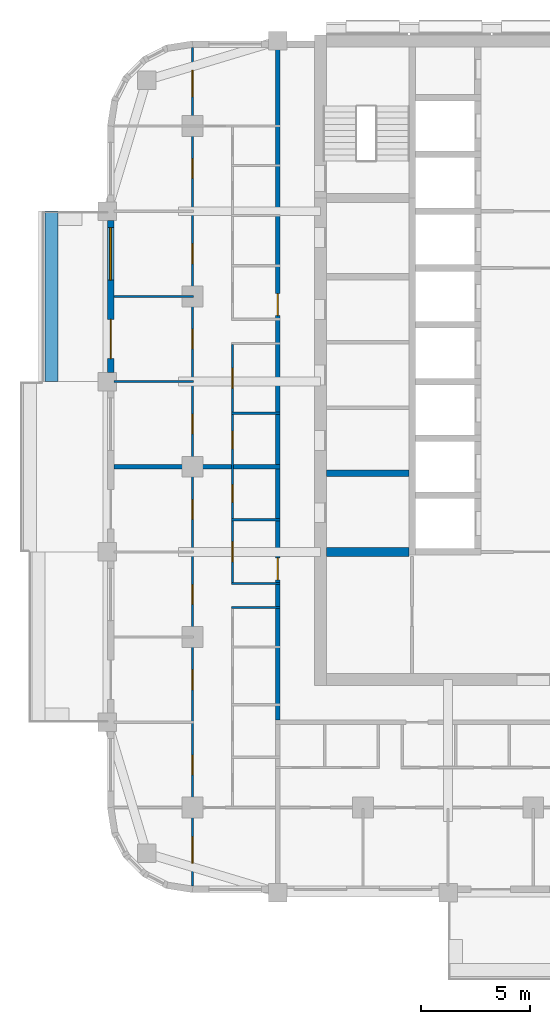
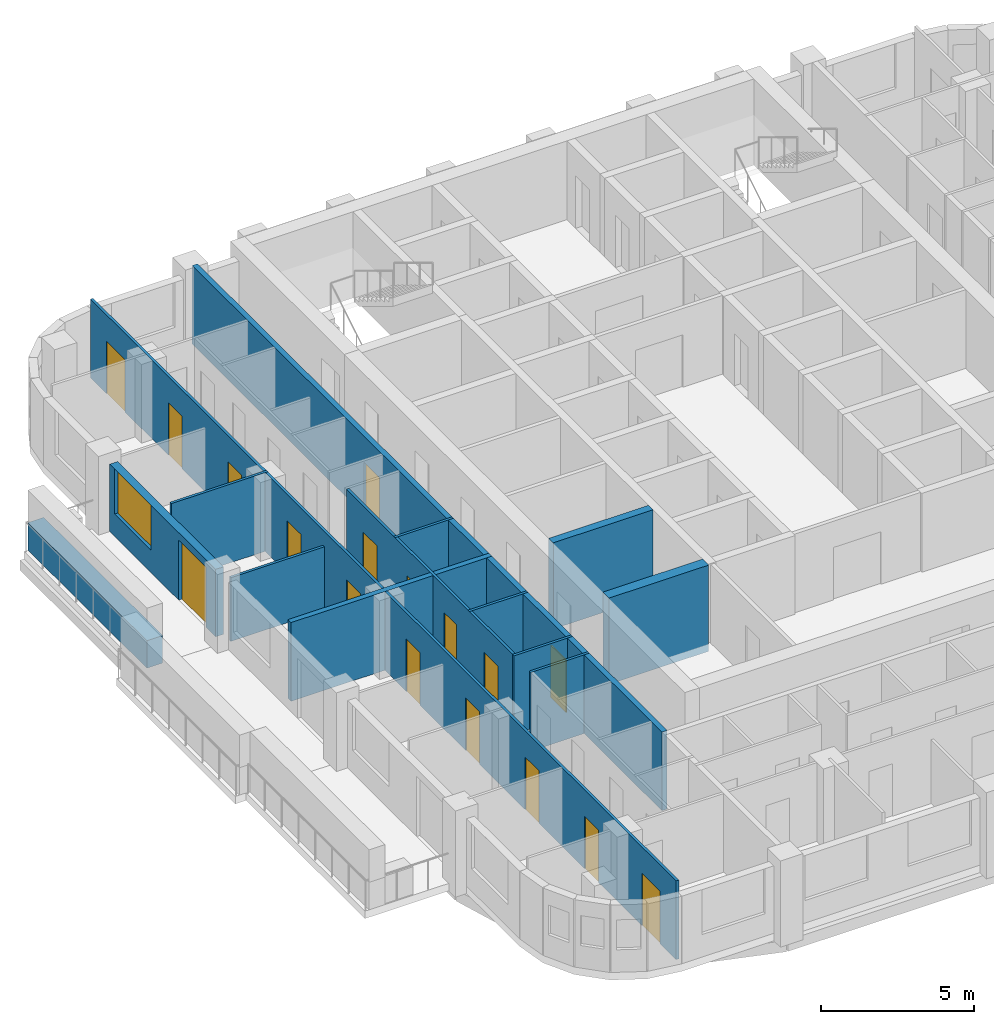
# One storey, part 4 of 14: 17 doors, 14 walls, 1 window, 18 openings.
"""IFC4 building model written with IfcOpenShell, lengths in metres."""

from ifc_helpers import new_model, si_unit, direction, frame, frame_2d, origin, place, context, subcontext, project, spatial, rectangle, extrude, material, layer, layer_set, type_object, element, fill, save


model = new_model("IFC4")

# Units and contexts
model_context = context("Model", 3, precision=1e-05, world=origin(), true_north=direction((0.0, 1.0)))
body_context = subcontext(model_context, "Body", "Model", "MODEL_VIEW")
ifc_project = project(units=[si_unit("LENGTHUNIT", "METRE"), si_unit("AREAUNIT", "SQUARE_METRE"), si_unit("VOLUMEUNIT", "CUBIC_METRE"), si_unit("PLANEANGLEUNIT", "RADIAN"), si_unit("MASSUNIT", "GRAM", prefix="KILO")], contexts=[model_context])

# Site, building, storey
site_placement = place(None, origin())
site = spatial("IfcSite", under=ifc_project, at=site_placement, CompositionType="ELEMENT")
building_placement = place(site_placement, origin())
building = spatial("IfcBuilding", under=site, at=building_placement, Name="Ludao Terraces", CompositionType="ELEMENT")
storey_placement = place(building_placement, frame((0.0, 0.0, 99.89990234375)))
storey = spatial("IfcBuildingStorey", under=building, at=storey_placement, Name="L27", CompositionType="ELEMENT", Elevation=99.89990234375)

# Wall
ifc_material_1 = material(Name="Concrete C40", Category="concrete")
ifc_layer_1 = layer(ifc_material_1, 0.60009765625)
ifc_layer_set_1 = layer_set([ifc_layer_1], Name="ENV Planter trough 600")
wall_type_1 = type_object("IfcWallType", Name="ENV Planter trough 600", PredefinedType="USERDEFINED", material=ifc_layer_set_1)
wall_1_placement = place(storey_placement, frame((62.949951171875, 68.89990234375, 0.0), z_axis=(0.0, 0.0, 1.0), x_axis=(0.0, 1.0, 0.0)))
element("IfcWall", 1, at=wall_1_placement, inside=storey, type_object=wall_type_1, Name="PL-L27-W3", ObjectType="PLANTER", PredefinedType="USERDEFINED", context=body_context, shape_type="SweptSolid", body=[
    extrude(rectangle(XDim=7.800048828125, YDim=0.60009765625, at=frame_2d((3.89990234375, 0.0))), origin(), (0.0, 0.0, 1.0), 1.10009765625),
])

# Wall, openings, door, window
ifc_material_2 = material(Name="Granite cladding", Category="masonry")
ifc_layer_2 = layer(ifc_material_2, 0.0400390625, Category="stone")
ifc_material_3 = material(Name="Mineral wool")
ifc_layer_3 = layer(ifc_material_3, 0.06005859375)
ifc_layer_4 = layer(ifc_material_1, 0.199951171875, Category="concrete")
ifc_layer_set_2 = layer_set([ifc_layer_2, ifc_layer_3, ifc_layer_4], Name="ENV Stone-clad wall 300")
wall_type_2 = type_object("IfcWallType", Name="ENV Stone-clad wall 300", PredefinedType="SOLIDWALL", material=ifc_layer_set_2)
wall_2_placement = place(storey_placement, frame((65.64990234375, 69.324951171875, 0.0), z_axis=(0.0, 0.0, 1.0), x_axis=(0.0, 1.0, 0.0)))
wall_2 = element("IfcWall", 2, at=wall_2_placement, inside=storey, type_object=wall_type_2, Name="EW-L27-W4", PredefinedType="SOLIDWALL", context=body_context, shape_type="SweptSolid", body=[
    extrude(rectangle(XDim=6.949951171875, YDim=0.300048828125, at=frame_2d((3.47509765625, 0.0))), origin(), (0.0, 0.0, 1.0), 2.7001953125),
])
opening_1_placement = place(wall_2_placement, frame((0.625, 0.0, 0.0)))
opening_1 = element("IfcOpeningElement", 3, at=opening_1_placement, cuts=wall_2, Name="Opening BD", PredefinedType="OPENING", context=body_context, shape_type="SweptSolid", body=[
    extrude(rectangle(XDim=1.800048828125, YDim=2.39990234375, at=frame_2d((0.89990234375, 1.199951171875))), frame((0.0, 0.16015625, 0.0), z_axis=(0.0, -1.0, 0.0), x_axis=(1.0, 0.0, 0.0)), (0.0, 0.0, 1.0), 0.320068359375),
])
opening_2_placement = place(wall_2_placement, frame((4.22509765625, 0.0, 0.89990234375)))
opening_2 = element("IfcOpeningElement", 4, at=opening_2_placement, cuts=wall_2, Name="Opening W1", PredefinedType="OPENING", context=body_context, shape_type="SweptSolid", body=[
    extrude(rectangle(XDim=2.39990234375, YDim=1.800048828125, at=frame_2d((1.199951171875, 0.89990234375))), frame((0.0, 0.16015625, 0.0), z_axis=(0.0, -1.0, 0.0), x_axis=(1.0, 0.0, 0.0)), (0.0, 0.0, 1.0), 0.320068359375),
])
ifc_material_4 = material(Name="Aluminium glazed door", Category="aluminium")
ifc_layer_5 = layer(ifc_material_4, 0.06005859375)
ifc_layer_set_3 = layer_set([ifc_layer_5], Name="ENV Balcony door BD 1800x2400")
door_type_1 = type_object("IfcDoorType", Name="ENV Balcony door BD 1800x2400", OperationType="DOUBLE_DOOR_SINGLE_SWING", PredefinedType="DOOR", material=ifc_layer_set_3)
door_1_placement = place(opening_1_placement, origin())
door_1 = element("IfcDoor", 5, at=door_1_placement, inside=storey, type_object=door_type_1, Name="BD-L27-W4-1", OperationType="DOUBLE_DOOR_SINGLE_SWING", OverallHeight=2.39990234375, OverallWidth=1.800048828125, PredefinedType="DOOR", context=body_context, shape_type="SweptSolid", body=[
    extrude(rectangle(XDim=1.800048828125, YDim=2.39990234375, at=frame_2d((0.89990234375, 1.199951171875))), frame((0.0, 0.02490234375, 0.0), z_axis=(0.0, -1.0, 0.0), x_axis=(1.0, 0.0, 0.0)), (0.0, 0.0, 1.0), 0.050048828125),
])
fill(opening_1, door_1)
ifc_material_5 = material(Name="Clear glass in aluminium frame", Category="aluminium")
ifc_layer_6 = layer(ifc_material_5, 0.06005859375)
ifc_layer_set_4 = layer_set([ifc_layer_6], Name="ENV Window W1 2400x1800")
window_type = type_object("IfcWindowType", Name="ENV Window W1 2400x1800", PartitioningType="DOUBLE_PANEL_VERTICAL", PredefinedType="WINDOW", material=ifc_layer_set_4)
window_placement = place(opening_2_placement, origin())
window = element("IfcWindow", 6, at=window_placement, inside=storey, type_object=window_type, Name="W-L27-W4-2", OverallHeight=1.800048828125, OverallWidth=2.39990234375, PartitioningType="DOUBLE_PANEL_VERTICAL", PredefinedType="WINDOW", context=body_context, shape_type="SweptSolid", body=[
    extrude(rectangle(XDim=2.39990234375, YDim=1.800048828125, at=frame_2d((1.199951171875, 0.89990234375))), frame((0.0, 0.030029296875, 0.0), z_axis=(0.0, -1.0, 0.0), x_axis=(1.0, 0.0, 0.0)), (0.0, 0.0, 1.0), 0.06005859375),
])
fill(opening_2, window)

# Wall, openings, doors
ifc_material_6 = material(Name="Autoclaved aerated concrete block B06 A3.5", Category="concrete")
ifc_layer_7 = layer(ifc_material_6, 0.199951171875)
ifc_layer_set_5 = layer_set([ifc_layer_7], Name="INT Entrance wall 200")
wall_type_3 = type_object("IfcWallType", Name="INT Entrance wall 200", PredefinedType="PARTITIONING", material=ifc_layer_set_5)
wall_3_placement = place(storey_placement, frame((73.300048828125, 53.400146484375, 0.0), z_axis=(0.0, 0.0, 1.0), x_axis=(0.0, 1.0, 0.0)))
wall_3 = element("IfcWall", 7, at=wall_3_placement, inside=storey, type_object=wall_type_3, Name="PW-L27-PW055", PredefinedType="PARTITIONING", context=body_context, shape_type="SweptSolid", body=[
    extrude(rectangle(XDim=30.800048828125, YDim=0.199951171875, at=frame_2d((15.39990234375, 0.0))), origin(), (0.0, 0.0, 1.0), 3.150146484375),
])
opening_3_placement = place(wall_3_placement, frame((6.425048828125, 0.0, 0.0)))
opening_3 = element("IfcOpeningElement", 8, at=opening_3_placement, cuts=wall_3, Name="Opening R08-041", PredefinedType="OPENING", context=body_context, shape_type="SweptSolid", body=[
    extrude(rectangle(XDim=1.0, YDim=2.10009765625, at=frame_2d((0.5, 1.050048828125))), frame((0.0, 0.10986328125, 0.0), z_axis=(0.0, -1.0, 0.0), x_axis=(1.0, 0.0, 0.0)), (0.0, 0.0, 1.0), 0.219970703125),
])
opening_4_placement = place(wall_3_placement, frame((18.52490234375, 0.0, 0.0)))
opening_4 = element("IfcOpeningElement", 9, at=opening_4_placement, cuts=wall_3, Name="Opening R08-069", PredefinedType="OPENING", context=body_context, shape_type="SweptSolid", body=[
    extrude(rectangle(XDim=1.0, YDim=2.10009765625, at=frame_2d((0.5, 1.050048828125))), frame((0.0, 0.10986328125, 0.0), z_axis=(0.0, -1.0, 0.0), x_axis=(1.0, 0.0, 0.0)), (0.0, 0.0, 1.0), 0.219970703125),
])
ifc_material_7 = material(Name="Steel Q235", Category="steel")
door_type_2 = type_object("IfcDoorType", Name="INT Flat entrance door 1000", OperationType="SINGLE_SWING_LEFT", PredefinedType="DOOR", material=ifc_material_7)
door_2_placement = place(opening_3_placement, origin())
door_2 = element("IfcDoor", 10, at=door_2_placement, inside=storey, type_object=door_type_2, Name="DOOR 041", OperationType="SINGLE_SWING_RIGHT", OverallHeight=2.10009765625, OverallWidth=1.0, PredefinedType="DOOR", context=body_context, shape_type="SweptSolid", body=[
    extrude(rectangle(XDim=1.0, YDim=2.10009765625, at=frame_2d((0.5, 1.050048828125))), frame((0.0, 0.02490234375, 0.0), z_axis=(0.0, -1.0, 0.0), x_axis=(1.0, 0.0, 0.0)), (0.0, 0.0, 1.0), 0.050048828125),
])
fill(opening_3, door_2)
door_3_placement = place(opening_4_placement, origin())
door_3 = element("IfcDoor", 11, at=door_3_placement, inside=storey, type_object=door_type_2, Name="DOOR 069", OperationType="SINGLE_SWING_RIGHT", OverallHeight=2.10009765625, OverallWidth=1.0, PredefinedType="DOOR", context=body_context, shape_type="SweptSolid", body=[
    extrude(rectangle(XDim=1.0, YDim=2.10009765625, at=frame_2d((0.5, 1.050048828125))), frame((0.0, 0.02490234375, 0.0), z_axis=(0.0, -1.0, 0.0), x_axis=(1.0, 0.0, 0.0)), (0.0, 0.0, 1.0), 0.050048828125),
])
fill(opening_4, door_3)

# Walls
ifc_material_8 = material(Name="Gypsum plasterboard", Category="gypsum")
ifc_layer_8 = layer(ifc_material_8, 0.012451171875, Category="gypsum")
ifc_layer_9 = layer(ifc_material_3, 0.06005859375, Name="insulation")
ifc_layer_10 = layer(ifc_material_7, 0.014892578125, Name="stud")
ifc_layer_11 = layer(ifc_material_8, 0.012451171875, Category="gypsum")
ifc_layer_set_6 = layer_set([ifc_layer_8, ifc_layer_9, ifc_layer_10, ifc_layer_11], Name="INT Partition 100")
wall_type_4 = type_object("IfcWallType", Name="INT Partition 100", PredefinedType="PARTITIONING", material=ifc_layer_set_6)
for number, where, z_axis, x_axis, name in (
    (12, (71.18017578125, 58.550048828125, 0.0), (0.0, 0.0, 1.0), (1.0, 0.0, 0.0), "PW-L27-PW015"),
    (13, (71.18017578125, 59.64990234375, 0.0), (0.0, 0.0, 1.0), (1.0, 0.0, 0.0), "PW-L27-PW017"),
    (14, (71.18017578125, 62.570068359375, 0.0), (0.0, 0.0, 1.0), (1.0, 0.0, 0.0), "PW-L27-PW021"),
    (15, (71.18017578125, 67.449951171875, 0.0), (0.0, 0.0, 1.0), (1.0, 0.0, 0.0), "PW-L27-PW027"),
):
    element("IfcWall", number, at=place(storey_placement, frame(where, z_axis=z_axis, x_axis=x_axis)), inside=storey, type_object=wall_type_4, Name=name, PredefinedType="PARTITIONING", context=body_context, shape_type="SweptSolid", body=[
        extrude(rectangle(XDim=2.219970703125, YDim=0.10009765625, at=frame_2d((1.10986328125, 0.0))), origin(), (0.0, 0.0, 1.0), 3.150146484375),
    ])
wall_4_placement = place(storey_placement, frame((65.800048828125, 68.89990234375, 0.0), z_axis=(0.0, 0.0, 1.0), x_axis=(1.0, 0.0, 0.0)))
element("IfcWall", 16, at=wall_4_placement, inside=storey, type_object=wall_type_4, Name="PW-L27-PW029", PredefinedType="PARTITIONING", context=body_context, shape_type="SweptSolid", body=[
    extrude(rectangle(XDim=3.650146484375, YDim=0.10009765625, at=frame_2d((1.8251953125, 0.0))), origin(), (0.0, 0.0, 1.0), 2.550048828125),
])
wall_5_placement = place(storey_placement, frame((65.800048828125, 72.800048828125, 0.0), z_axis=(0.0, 0.0, 1.0), x_axis=(1.0, 0.0, 0.0)))
element("IfcWall", 17, at=wall_5_placement, inside=storey, type_object=wall_type_4, Name="PW-L27-PW036", PredefinedType="PARTITIONING", context=body_context, shape_type="SweptSolid", body=[
    extrude(rectangle(XDim=3.650146484375, YDim=0.10009765625, at=frame_2d((1.8251953125, 0.0))), origin(), (0.0, 0.0, 1.0), 3.150146484375),
])

# Wall, openings, doors
wall_6_placement = place(storey_placement, frame((69.39990234375, 45.800048828125, 0.0), z_axis=(0.0, 0.0, 1.0), x_axis=(0.0, 1.0, 0.0)))
wall_6 = element("IfcWall", 18, at=wall_6_placement, inside=storey, type_object=wall_type_4, Name="PW-L27-PW050", PredefinedType="PARTITIONING", context=body_context, shape_type="SweptSolid", body=[
    extrude(rectangle(XDim=38.400146484375, YDim=0.10009765625, at=frame_2d((19.2001953125, 0.0))), origin(), (0.0, 0.0, 1.0), 3.150146484375),
])
opening_5_placement = place(wall_6_placement, frame((1.050048828125, 0.0, 0.0)))
opening_5 = element("IfcOpeningElement", 19, at=opening_5_placement, cuts=wall_6, Name="Opening R08-001", PredefinedType="OPENING", context=body_context, shape_type="SweptSolid", body=[
    extrude(rectangle(XDim=1.199951171875, YDim=2.10009765625, at=frame_2d((0.60009765625, 1.050048828125))), frame((0.0, 0.06005859375, 0.0), z_axis=(0.0, -1.0, 0.0), x_axis=(1.0, 0.0, 0.0)), (0.0, 0.0, 1.0), 0.1201171875),
])
opening_6_placement = place(wall_6_placement, frame((5.10009765625, 0.0, 0.0)))
opening_6 = element("IfcOpeningElement", 20, at=opening_6_placement, cuts=wall_6, Name="Opening R08-022", PredefinedType="OPENING", context=body_context, shape_type="SweptSolid", body=[
    extrude(rectangle(XDim=0.89990234375, YDim=2.10009765625, at=frame_2d((0.449951171875, 1.050048828125))), frame((0.0, 0.06005859375, 0.0), z_axis=(0.0, -1.0, 0.0), x_axis=(1.0, 0.0, 0.0)), (0.0, 0.0, 1.0), 0.1201171875),
])
opening_7_placement = place(wall_6_placement, frame((9.0, 0.0, 0.0)))
opening_7 = element("IfcOpeningElement", 21, at=opening_7_placement, cuts=wall_6, Name="Opening R08-028", PredefinedType="OPENING", context=body_context, shape_type="SweptSolid", body=[
    extrude(rectangle(XDim=0.89990234375, YDim=2.10009765625, at=frame_2d((0.449951171875, 1.050048828125))), frame((0.0, 0.06005859375, 0.0), z_axis=(0.0, -1.0, 0.0), x_axis=(1.0, 0.0, 0.0)), (0.0, 0.0, 1.0), 0.1201171875),
])
opening_8_placement = place(wall_6_placement, frame((12.89990234375, 0.0, 0.0)))
opening_8 = element("IfcOpeningElement", 22, at=opening_8_placement, cuts=wall_6, Name="Opening R08-037", PredefinedType="OPENING", context=body_context, shape_type="SweptSolid", body=[
    extrude(rectangle(XDim=0.89990234375, YDim=2.10009765625, at=frame_2d((0.449951171875, 1.050048828125))), frame((0.0, 0.06005859375, 0.0), z_axis=(0.0, -1.0, 0.0), x_axis=(1.0, 0.0, 0.0)), (0.0, 0.0, 1.0), 0.1201171875),
])
opening_9_placement = place(wall_6_placement, frame((16.800048828125, 0.0, 0.0)))
opening_9 = element("IfcOpeningElement", 23, at=opening_9_placement, cuts=wall_6, Name="Opening R08-047", PredefinedType="OPENING", context=body_context, shape_type="SweptSolid", body=[
    extrude(rectangle(XDim=0.89990234375, YDim=2.10009765625, at=frame_2d((0.449951171875, 1.050048828125))), frame((0.0, 0.06005859375, 0.0), z_axis=(0.0, -1.0, 0.0), x_axis=(1.0, 0.0, 0.0)), (0.0, 0.0, 1.0), 0.1201171875),
])
opening_10_placement = place(wall_6_placement, frame((20.699951171875, 0.0, 0.0)))
opening_10 = element("IfcOpeningElement", 24, at=opening_10_placement, cuts=wall_6, Name="Opening R08-055", PredefinedType="OPENING", context=body_context, shape_type="SweptSolid", body=[
    extrude(rectangle(XDim=0.89990234375, YDim=2.10009765625, at=frame_2d((0.449951171875, 1.050048828125))), frame((0.0, 0.06005859375, 0.0), z_axis=(0.0, -1.0, 0.0), x_axis=(1.0, 0.0, 0.0)), (0.0, 0.0, 1.0), 0.1201171875),
])
opening_11_placement = place(wall_6_placement, frame((24.60009765625, 0.0, 0.0)))
opening_11 = element("IfcOpeningElement", 25, at=opening_11_placement, cuts=wall_6, Name="Opening R08-065", PredefinedType="OPENING", context=body_context, shape_type="SweptSolid", body=[
    extrude(rectangle(XDim=0.89990234375, YDim=2.10009765625, at=frame_2d((0.449951171875, 1.050048828125))), frame((0.0, 0.06005859375, 0.0), z_axis=(0.0, -1.0, 0.0), x_axis=(1.0, 0.0, 0.0)), (0.0, 0.0, 1.0), 0.1201171875),
])
opening_12_placement = place(wall_6_placement, frame((28.5, 0.0, 0.0)))
opening_12 = element("IfcOpeningElement", 26, at=opening_12_placement, cuts=wall_6, Name="Opening R08-075", PredefinedType="OPENING", context=body_context, shape_type="SweptSolid", body=[
    extrude(rectangle(XDim=0.89990234375, YDim=2.10009765625, at=frame_2d((0.449951171875, 1.050048828125))), frame((0.0, 0.06005859375, 0.0), z_axis=(0.0, -1.0, 0.0), x_axis=(1.0, 0.0, 0.0)), (0.0, 0.0, 1.0), 0.1201171875),
])
opening_13_placement = place(wall_6_placement, frame((32.39990234375, 0.0, 0.0)))
opening_13 = element("IfcOpeningElement", 27, at=opening_13_placement, cuts=wall_6, Name="Opening R08-090", PredefinedType="OPENING", context=body_context, shape_type="SweptSolid", body=[
    extrude(rectangle(XDim=0.89990234375, YDim=2.10009765625, at=frame_2d((0.449951171875, 1.050048828125))), frame((0.0, 0.06005859375, 0.0), z_axis=(0.0, -1.0, 0.0), x_axis=(1.0, 0.0, 0.0)), (0.0, 0.0, 1.0), 0.1201171875),
])
opening_14_placement = place(wall_6_placement, frame((36.14990234375, 0.0, 0.0)))
opening_14 = element("IfcOpeningElement", 28, at=opening_14_placement, cuts=wall_6, Name="Opening R08-098", PredefinedType="OPENING", context=body_context, shape_type="SweptSolid", body=[
    extrude(rectangle(XDim=1.199951171875, YDim=2.10009765625, at=frame_2d((0.60009765625, 1.050048828125))), frame((0.0, 0.06005859375, 0.0), z_axis=(0.0, -1.0, 0.0), x_axis=(1.0, 0.0, 0.0)), (0.0, 0.0, 1.0), 0.1201171875),
])
ifc_material_9 = material(Name="Timber door leaf", Category="wood")
door_type_3 = type_object("IfcDoorType", Name="INT Double door 1200", OperationType="DOUBLE_DOOR_SINGLE_SWING", PredefinedType="DOOR", material=ifc_material_9)
door_4_placement = place(opening_5_placement, origin())
door_4 = element("IfcDoor", 29, at=door_4_placement, inside=storey, type_object=door_type_3, Name="DOOR 001", OperationType="DOUBLE_DOOR_SINGLE_SWING", OverallHeight=2.10009765625, OverallWidth=1.199951171875, PredefinedType="DOOR", context=body_context, shape_type="SweptSolid", body=[
    extrude(rectangle(XDim=1.199951171875, YDim=2.10009765625, at=frame_2d((0.60009765625, 1.050048828125))), frame((0.0, 0.02490234375, 0.0), z_axis=(0.0, -1.0, 0.0), x_axis=(1.0, 0.0, 0.0)), (0.0, 0.0, 1.0), 0.050048828125),
])
fill(opening_5, door_4)
door_5_placement = place(opening_14_placement, origin())
door_5 = element("IfcDoor", 30, at=door_5_placement, inside=storey, type_object=door_type_3, Name="DOOR 098", OperationType="DOUBLE_DOOR_SINGLE_SWING", OverallHeight=2.10009765625, OverallWidth=1.199951171875, PredefinedType="DOOR", context=body_context, shape_type="SweptSolid", body=[
    extrude(rectangle(XDim=1.199951171875, YDim=2.10009765625, at=frame_2d((0.60009765625, 1.050048828125))), frame((0.0, 0.02490234375, 0.0), z_axis=(0.0, -1.0, 0.0), x_axis=(1.0, 0.0, 0.0)), (0.0, 0.0, 1.0), 0.050048828125),
])
fill(opening_14, door_5)
door_type_4 = type_object("IfcDoorType", Name="INT Room door 900", OperationType="SINGLE_SWING_LEFT", PredefinedType="DOOR", material=ifc_material_9)
door_6_placement = place(opening_6_placement, origin())
door_6 = element("IfcDoor", 31, at=door_6_placement, inside=storey, type_object=door_type_4, Name="DOOR 022", OperationType="SINGLE_SWING_RIGHT", OverallHeight=2.10009765625, OverallWidth=0.89990234375, PredefinedType="DOOR", context=body_context, shape_type="SweptSolid", body=[
    extrude(rectangle(XDim=0.89990234375, YDim=2.10009765625, at=frame_2d((0.449951171875, 1.050048828125))), frame((0.0, 0.02490234375, 0.0), z_axis=(0.0, -1.0, 0.0), x_axis=(1.0, 0.0, 0.0)), (0.0, 0.0, 1.0), 0.050048828125),
])
fill(opening_6, door_6)
door_7_placement = place(opening_7_placement, origin())
door_7 = element("IfcDoor", 32, at=door_7_placement, inside=storey, type_object=door_type_4, Name="DOOR 028", OperationType="SINGLE_SWING_LEFT", OverallHeight=2.10009765625, OverallWidth=0.89990234375, PredefinedType="DOOR", context=body_context, shape_type="SweptSolid", body=[
    extrude(rectangle(XDim=0.89990234375, YDim=2.10009765625, at=frame_2d((0.449951171875, 1.050048828125))), frame((0.0, 0.02490234375, 0.0), z_axis=(0.0, -1.0, 0.0), x_axis=(1.0, 0.0, 0.0)), (0.0, 0.0, 1.0), 0.050048828125),
])
fill(opening_7, door_7)
door_8_placement = place(opening_8_placement, origin())
door_8 = element("IfcDoor", 33, at=door_8_placement, inside=storey, type_object=door_type_4, Name="DOOR 037", OperationType="SINGLE_SWING_LEFT", OverallHeight=2.10009765625, OverallWidth=0.89990234375, PredefinedType="DOOR", context=body_context, shape_type="SweptSolid", body=[
    extrude(rectangle(XDim=0.89990234375, YDim=2.10009765625, at=frame_2d((0.449951171875, 1.050048828125))), frame((0.0, 0.02490234375, 0.0), z_axis=(0.0, -1.0, 0.0), x_axis=(1.0, 0.0, 0.0)), (0.0, 0.0, 1.0), 0.050048828125),
])
fill(opening_8, door_8)
door_9_placement = place(opening_9_placement, origin())
door_9 = element("IfcDoor", 34, at=door_9_placement, inside=storey, type_object=door_type_4, Name="DOOR 047", OperationType="SINGLE_SWING_LEFT", OverallHeight=2.10009765625, OverallWidth=0.89990234375, PredefinedType="DOOR", context=body_context, shape_type="SweptSolid", body=[
    extrude(rectangle(XDim=0.89990234375, YDim=2.10009765625, at=frame_2d((0.449951171875, 1.050048828125))), frame((0.0, 0.02490234375, 0.0), z_axis=(0.0, -1.0, 0.0), x_axis=(1.0, 0.0, 0.0)), (0.0, 0.0, 1.0), 0.050048828125),
])
fill(opening_9, door_9)
door_10_placement = place(opening_10_placement, origin())
door_10 = element("IfcDoor", 35, at=door_10_placement, inside=storey, type_object=door_type_4, Name="DOOR 055", OperationType="SINGLE_SWING_RIGHT", OverallHeight=2.10009765625, OverallWidth=0.89990234375, PredefinedType="DOOR", context=body_context, shape_type="SweptSolid", body=[
    extrude(rectangle(XDim=0.89990234375, YDim=2.10009765625, at=frame_2d((0.449951171875, 1.050048828125))), frame((0.0, 0.02490234375, 0.0), z_axis=(0.0, -1.0, 0.0), x_axis=(1.0, 0.0, 0.0)), (0.0, 0.0, 1.0), 0.050048828125),
])
fill(opening_10, door_10)
door_11_placement = place(opening_11_placement, origin())
door_11 = element("IfcDoor", 36, at=door_11_placement, inside=storey, type_object=door_type_4, Name="DOOR 065", OperationType="SINGLE_SWING_RIGHT", OverallHeight=2.10009765625, OverallWidth=0.89990234375, PredefinedType="DOOR", context=body_context, shape_type="SweptSolid", body=[
    extrude(rectangle(XDim=0.89990234375, YDim=2.10009765625, at=frame_2d((0.449951171875, 1.050048828125))), frame((0.0, 0.02490234375, 0.0), z_axis=(0.0, -1.0, 0.0), x_axis=(1.0, 0.0, 0.0)), (0.0, 0.0, 1.0), 0.050048828125),
])
fill(opening_11, door_11)
door_12_placement = place(opening_12_placement, origin())
door_12 = element("IfcDoor", 37, at=door_12_placement, inside=storey, type_object=door_type_4, Name="DOOR 075", OperationType="SINGLE_SWING_LEFT", OverallHeight=2.10009765625, OverallWidth=0.89990234375, PredefinedType="DOOR", context=body_context, shape_type="SweptSolid", body=[
    extrude(rectangle(XDim=0.89990234375, YDim=2.10009765625, at=frame_2d((0.449951171875, 1.050048828125))), frame((0.0, 0.02490234375, 0.0), z_axis=(0.0, -1.0, 0.0), x_axis=(1.0, 0.0, 0.0)), (0.0, 0.0, 1.0), 0.050048828125),
])
fill(opening_12, door_12)
door_13_placement = place(opening_13_placement, origin())
door_13 = element("IfcDoor", 38, at=door_13_placement, inside=storey, type_object=door_type_4, Name="DOOR 090", OperationType="SINGLE_SWING_LEFT", OverallHeight=2.10009765625, OverallWidth=0.89990234375, PredefinedType="DOOR", context=body_context, shape_type="SweptSolid", body=[
    extrude(rectangle(XDim=0.89990234375, YDim=2.10009765625, at=frame_2d((0.449951171875, 1.050048828125))), frame((0.0, 0.02490234375, 0.0), z_axis=(0.0, -1.0, 0.0), x_axis=(1.0, 0.0, 0.0)), (0.0, 0.0, 1.0), 0.050048828125),
])
fill(opening_13, door_13)

wall_7_placement = place(storey_placement, frame((71.22998046875, 59.7001953125, 0.0), z_axis=(0.0, 0.0, 1.0), x_axis=(0.0, 1.0, 0.0)))
wall_7 = element("IfcWall", 39, at=wall_7_placement, inside=storey, type_object=wall_type_4, Name="PW-L27-PW052", PredefinedType="PARTITIONING", context=body_context, shape_type="SweptSolid", body=[
    extrude(rectangle(XDim=10.89990234375, YDim=0.10009765625, at=frame_2d((5.449951171875, 0.0))), origin(), (0.0, 0.0, 1.0), 3.150146484375),
])
opening_15_placement = place(wall_7_placement, frame((0.9599609375, 0.0, 0.0)))
opening_15 = element("IfcOpeningElement", 40, at=opening_15_placement, cuts=wall_7, Name="Opening R08-043", PredefinedType="OPENING", context=body_context, shape_type="SweptSolid", body=[
    extrude(rectangle(XDim=0.89990234375, YDim=2.10009765625, at=frame_2d((0.449951171875, 1.050048828125))), frame((0.0, 0.06005859375, 0.0), z_axis=(0.0, -1.0, 0.0), x_axis=(1.0, 0.0, 0.0)), (0.0, 0.0, 1.0), 0.1201171875),
])
opening_16_placement = place(wall_7_placement, frame((3.684814453125, 0.0, 0.0)))
opening_16 = element("IfcOpeningElement", 41, at=opening_16_placement, cuts=wall_7, Name="Opening R08-050", PredefinedType="OPENING", context=body_context, shape_type="SweptSolid", body=[
    extrude(rectangle(XDim=0.800048828125, YDim=2.10009765625, at=frame_2d((0.39990234375, 1.050048828125))), frame((0.0, 0.06005859375, 0.0), z_axis=(0.0, -1.0, 0.0), x_axis=(1.0, 0.0, 0.0)), (0.0, 0.0, 1.0), 0.1201171875),
])
opening_17_placement = place(wall_7_placement, frame((6.125, 0.0, 0.0)))
opening_17 = element("IfcOpeningElement", 42, at=opening_17_placement, cuts=wall_7, Name="Opening R08-054", PredefinedType="OPENING", context=body_context, shape_type="SweptSolid", body=[
    extrude(rectangle(XDim=0.800048828125, YDim=2.10009765625, at=frame_2d((0.39990234375, 1.050048828125))), frame((0.0, 0.06005859375, 0.0), z_axis=(0.0, -1.0, 0.0), x_axis=(1.0, 0.0, 0.0)), (0.0, 0.0, 1.0), 0.1201171875),
])
opening_18_placement = place(wall_7_placement, frame((8.89990234375, 0.0, 0.0)))
opening_18 = element("IfcOpeningElement", 43, at=opening_18_placement, cuts=wall_7, Name="Opening R08-061", PredefinedType="OPENING", context=body_context, shape_type="SweptSolid", body=[
    extrude(rectangle(XDim=0.89990234375, YDim=2.10009765625, at=frame_2d((0.449951171875, 1.050048828125))), frame((0.0, 0.06005859375, 0.0), z_axis=(0.0, -1.0, 0.0), x_axis=(1.0, 0.0, 0.0)), (0.0, 0.0, 1.0), 0.1201171875),
])
door_14_placement = place(opening_15_placement, origin())
door_14 = element("IfcDoor", 44, at=door_14_placement, inside=storey, type_object=door_type_4, Name="DOOR 043", OperationType="SINGLE_SWING_RIGHT", OverallHeight=2.10009765625, OverallWidth=0.89990234375, PredefinedType="DOOR", context=body_context, shape_type="SweptSolid", body=[
    extrude(rectangle(XDim=0.89990234375, YDim=2.10009765625, at=frame_2d((0.449951171875, 1.050048828125))), frame((0.0, 0.02490234375, 0.0), z_axis=(0.0, -1.0, 0.0), x_axis=(1.0, 0.0, 0.0)), (0.0, 0.0, 1.0), 0.050048828125),
])
fill(opening_15, door_14)
door_15_placement = place(opening_18_placement, origin())
door_15 = element("IfcDoor", 45, at=door_15_placement, inside=storey, type_object=door_type_4, Name="DOOR 061", OperationType="SINGLE_SWING_LEFT", OverallHeight=2.10009765625, OverallWidth=0.89990234375, PredefinedType="DOOR", context=body_context, shape_type="SweptSolid", body=[
    extrude(rectangle(XDim=0.89990234375, YDim=2.10009765625, at=frame_2d((0.449951171875, 1.050048828125))), frame((0.0, 0.02490234375, 0.0), z_axis=(0.0, -1.0, 0.0), x_axis=(1.0, 0.0, 0.0)), (0.0, 0.0, 1.0), 0.050048828125),
])
fill(opening_18, door_15)
door_type_5 = type_object("IfcDoorType", Name="INT Store door 800", OperationType="SINGLE_SWING_LEFT", PredefinedType="DOOR", material=ifc_material_9)
door_16_placement = place(opening_16_placement, origin())
door_16 = element("IfcDoor", 46, at=door_16_placement, inside=storey, type_object=door_type_5, Name="DOOR 050", OperationType="SINGLE_SWING_LEFT", OverallHeight=2.10009765625, OverallWidth=0.800048828125, PredefinedType="DOOR", context=body_context, shape_type="SweptSolid", body=[
    extrude(rectangle(XDim=0.800048828125, YDim=2.10009765625, at=frame_2d((0.39990234375, 1.050048828125))), frame((0.0, 0.02490234375, 0.0), z_axis=(0.0, -1.0, 0.0), x_axis=(1.0, 0.0, 0.0)), (0.0, 0.0, 1.0), 0.050048828125),
])
fill(opening_16, door_16)
door_17_placement = place(opening_17_placement, origin())
door_17 = element("IfcDoor", 47, at=door_17_placement, inside=storey, type_object=door_type_5, Name="DOOR 054", OperationType="SINGLE_SWING_RIGHT", OverallHeight=2.10009765625, OverallWidth=0.800048828125, PredefinedType="DOOR", context=body_context, shape_type="SweptSolid", body=[
    extrude(rectangle(XDim=0.800048828125, YDim=2.10009765625, at=frame_2d((0.39990234375, 1.050048828125))), frame((0.0, 0.02490234375, 0.0), z_axis=(0.0, -1.0, 0.0), x_axis=(1.0, 0.0, 0.0)), (0.0, 0.0, 1.0), 0.050048828125),
])
fill(opening_17, door_17)

# Walls
ifc_layer_12 = layer(ifc_material_6, 0.199951171875)
ifc_layer_set_7 = layer_set([ifc_layer_12], Name="INT Party wall 200")
wall_type_5 = type_object("IfcWallType", Name="INT Party wall 200", PredefinedType="PARTITIONING", material=ifc_layer_set_7)
wall_8_placement = place(storey_placement, frame((65.800048828125, 65.0, 0.0), z_axis=(0.0, 0.0, 1.0), x_axis=(1.0, 0.0, 0.0)))
element("IfcWall", 48, at=wall_8_placement, inside=storey, type_object=wall_type_5, Name="PW-L27-PW023", PredefinedType="PARTITIONING", context=body_context, shape_type="SweptSolid", body=[
    extrude(rectangle(XDim=7.60009765625, YDim=0.199951171875, at=frame_2d((3.800048828125, 0.0))), origin(), (0.0, 0.0, 1.0), 3.150146484375),
])
ifc_material_10 = material(Name="Concrete C55", Category="concrete")
ifc_layer_13 = layer(ifc_material_10, 0.300048828125)
ifc_layer_set_8 = layer_set([ifc_layer_13], Name="Shaft wall 300 C55")
wall_type_6 = type_object("IfcWallType", Name="Shaft wall 300 C55", PredefinedType="SOLIDWALL", material=ifc_layer_set_8)
wall_9_placement = place(storey_placement, frame((75.52490234375, 64.699951171875, -0.2998046875), z_axis=(0.0, 0.0, 1.0), x_axis=(1.0, 0.0, 0.0)))
element("IfcWall", 49, at=wall_9_placement, inside=storey, type_object=wall_type_6, Name="Core wall L27 riser-a-W", PredefinedType="SOLIDWALL", context=body_context, shape_type="SweptSolid", body=[
    extrude(rectangle(XDim=3.775146484375, YDim=0.300048828125, at=frame_2d((1.8876953125, 0.0))), origin(), (0.0, 0.0, 1.0), 3.449951171875),
])
ifc_layer_14 = layer(ifc_material_10, 0.39990234375)
ifc_layer_set_9 = layer_set([ifc_layer_14], Name="Shaft wall 400 C55")
wall_type_7 = type_object("IfcWallType", Name="Shaft wall 400 C55", PredefinedType="SOLIDWALL", material=ifc_layer_set_9)
wall_10_placement = place(storey_placement, frame((75.52490234375, 61.10009765625, -0.2998046875), z_axis=(0.0, 0.0, 1.0), x_axis=(1.0, 0.0, 0.0)))
element("IfcWall", 50, at=wall_10_placement, inside=storey, type_object=wall_type_7, Name="Core wall L27 hall-W", PredefinedType="SOLIDWALL", context=body_context, shape_type="SweptSolid", body=[
    extrude(rectangle(XDim=3.775146484375, YDim=0.39990234375, at=frame_2d((1.8876953125, 0.0))), origin(), (0.0, 0.0, 1.0), 3.449951171875),
])

save(model, "model.ifc")
